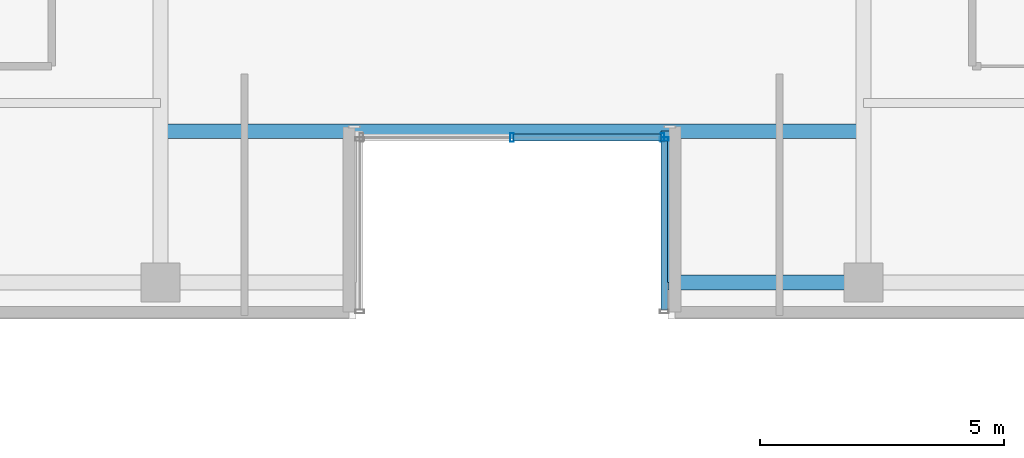
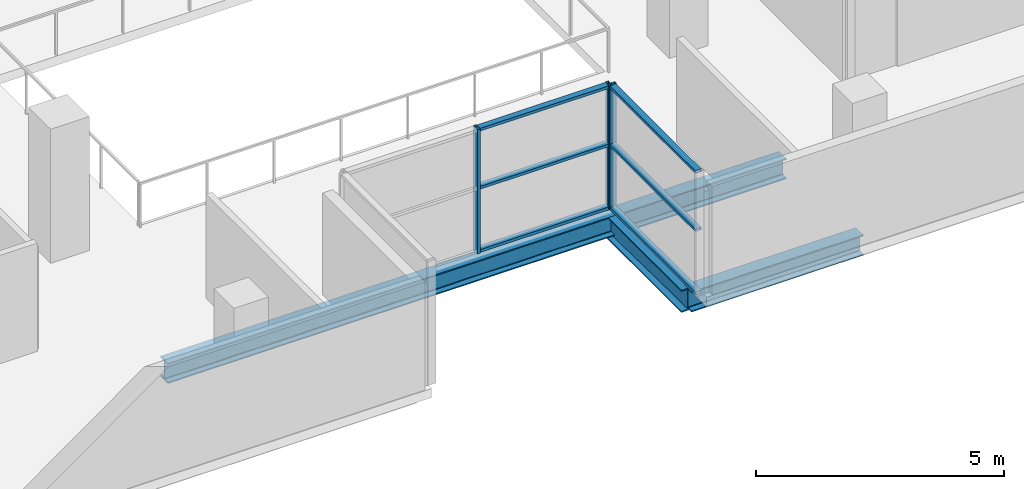
# One storey, part 7 of 27: 9 members, 3 beams, 2 elements without a shape of their own.
"""IFC4 building model written with IfcOpenShell, lengths in metres."""

import ifcopenshell
import ifcopenshell.guid

model = None  # the IFC model being written
_history = None  # IfcOwnerHistory: only IFC2X3 demands one
_inside = {}  # id of a spatial element -> (the spatial element, [elements in it])
_under = {}  # id of a project, library or spatial element -> (it, [spatial elements below it])
_declared = {}  # id of a project -> (the project, [libraries it declares])
_typed = {}  # id of a type object -> (the type object, [elements of that type])
_made_of = {}  # id of a material, layer set ... -> (it, [elements and type objects made of it])


def new_model(schema):
    """Start an empty IFC model of exactly this schema.

    Asked for "IFC4X3", IfcOpenShell would pick the latest addendum, in which some entities
    have other attributes; the version numbers below select the first issue.
    IFC2X3 requires an IfcOwnerHistory on every rooted entity: one is made here for all.
    """
    global model, _history
    if schema == "IFC4X3":
        model = ifcopenshell.file(schema_version=(4, 3, 0, 0))
    else:
        model = ifcopenshell.file(schema=schema)
    _inside.clear()
    _under.clear()
    _declared.clear()
    _typed.clear()
    _made_of.clear()
    _history = None
    if model.schema == "IFC2X3":
        org = make("IfcOrganization", Name="unknown")
        user = make(
            "IfcPersonAndOrganization",
            ThePerson=make("IfcPerson", FamilyName="unknown"),
            TheOrganization=org,
        )
        app = make(
            "IfcApplication",
            ApplicationDeveloper=org,
            Version="unknown",
            ApplicationFullName="unknown",
            ApplicationIdentifier="unknown",
        )
        _history = make(
            "IfcOwnerHistory",
            OwningUser=user,
            OwningApplication=app,
            ChangeAction="ADDED",
            CreationDate=0,
        )
    return model


def make(cls, **values):
    """One entity of the class cls with the attributes given. An attribute that is None is left unset."""
    return model.create_entity(
        cls, **{name: value for name, value in values.items() if value is not None}
    )


def rooted(cls, **values):
    """An entity with a GlobalId (a new one), such as an element, a storey or a relation."""
    return make(cls, GlobalId=ifcopenshell.guid.new(), OwnerHistory=_history, **values)


def si_unit(unit_type, name, prefix=None):
    """IfcSIUnit, for example si_unit("LENGTHUNIT", "METRE", prefix="MILLI")."""
    return make("IfcSIUnit", UnitType=unit_type, Prefix=prefix, Name=name)


def assignment(units):
    """IfcUnitAssignment: the units of a project."""
    return None if units is None else make("IfcUnitAssignment", Units=units)


def point(xyz):
    """IfcCartesianPoint."""
    return None if xyz is None else make("IfcCartesianPoint", Coordinates=xyz)


def direction(xyz):
    """IfcDirection."""
    return None if xyz is None else make("IfcDirection", DirectionRatios=xyz)


def frame(location, z_axis=None, x_axis=None):
    """IfcAxis2Placement3D, a coordinate frame: its origin and axes. An axis left out is left unset."""
    return make(
        "IfcAxis2Placement3D",
        Location=point(location),
        Axis=direction(z_axis),
        RefDirection=direction(x_axis),
    )


def frame_2d(location, x_axis=None):
    """IfcAxis2Placement2D, a coordinate frame in the plane: its origin and x axis."""
    return make(
        "IfcAxis2Placement2D", Location=point(location), RefDirection=direction(x_axis)
    )


def origin():
    """The frame at (0, 0, 0) with its axes left unset."""
    return frame((0.0, 0.0, 0.0))


def origin_2d():
    """The frame at (0, 0) in the plane with its x axis left unset."""
    return frame_2d((0.0, 0.0))


def place(relative_to, where):
    """IfcLocalPlacement: puts the frame where relative to a parent placement (None: the world)."""
    return make(
        "IfcLocalPlacement", PlacementRelTo=relative_to, RelativePlacement=where
    )


def context(
    kind, dimensions, precision=None, world=None, true_north=None, identifier=None
):
    """IfcGeometricRepresentationContext, for example the 3D "Model" context."""
    return make(
        "IfcGeometricRepresentationContext",
        ContextIdentifier=identifier,
        ContextType=kind,
        CoordinateSpaceDimension=dimensions,
        Precision=precision,
        WorldCoordinateSystem=world,
        TrueNorth=true_north,
    )


def subcontext(parent, identifier, kind, view, scale=None):
    """IfcGeometricRepresentationSubContext, for example "Body" below "Model"."""
    return make(
        "IfcGeometricRepresentationSubContext",
        ContextIdentifier=identifier,
        ContextType=kind,
        ParentContext=parent,
        TargetScale=scale,
        TargetView=view,
    )


def project(units=None, contexts=None):
    """IfcProject with its units and contexts."""
    return rooted(
        "IfcProject",
        Name="project",
        RepresentationContexts=contexts,
        UnitsInContext=assignment(units),
    )


def spatial(cls, under=None, at=None, **own):
    """A site, building, storey or space (cls), placed at a placement, below another one or the project."""
    s = rooted(cls, ObjectPlacement=at, **own)
    if under is not None:
        _under.setdefault(under.id(), (under, []))[1].append(s)
    return s


def profile(cls, at=None, kind="AREA", **sizes):
    """A parametric profile (cls). Its sizes go by their IFC names, for example OverallWidth=200.0."""
    return make(cls, ProfileType=kind, Position=at, **sizes)


def hollow_rectangle(**sizes):
    """IfcRectangleHollowProfileDef."""
    return profile("IfcRectangleHollowProfileDef", **sizes)


def i_section(**sizes):
    """IfcIShapeProfileDef."""
    return profile("IfcIShapeProfileDef", **sizes)


def extrude(swept, where, along, depth):
    """IfcExtrudedAreaSolid: the profile swept, set in the frame where, extruded along a direction by depth."""
    return make(
        "IfcExtrudedAreaSolid",
        SweptArea=swept,
        Position=where,
        ExtrudedDirection=direction(along),
        Depth=depth,
    )


def shape(context_of_items, identifier, shape_type, items):
    """IfcShapeRepresentation: the items that make up one representation, for example the "Body"."""
    return make(
        "IfcShapeRepresentation",
        ContextOfItems=context_of_items,
        RepresentationIdentifier=identifier,
        RepresentationType=shape_type,
        Items=items,
    )


def source(mapping_origin, context_of_items, identifier, shape_type, items):
    """IfcRepresentationMap: a shape defined once, which mapped items show again and again."""
    return make(
        "IfcRepresentationMap",
        MappingOrigin=mapping_origin,
        MappedRepresentation=shape(context_of_items, identifier, shape_type, items),
    )


def transform(
    local_origin,
    x_axis=None,
    y_axis=None,
    z_axis=None,
    scale=None,
    scale2=None,
    scale3=None,
    uniform=True,
):
    """IfcCartesianTransformationOperator3D, or its non-uniform kind. x_axis, y_axis, z_axis: its Axis1, 2, 3."""
    if uniform:
        return make(
            "IfcCartesianTransformationOperator3D",
            Axis1=direction(x_axis),
            Axis2=direction(y_axis),
            LocalOrigin=point(local_origin),
            Scale=scale,
            Axis3=direction(z_axis),
        )
    return make(
        "IfcCartesianTransformationOperator3DnonUniform",
        Axis1=direction(x_axis),
        Axis2=direction(y_axis),
        LocalOrigin=point(local_origin),
        Scale=scale,
        Axis3=direction(z_axis),
        Scale2=scale2,
        Scale3=scale3,
    )


def mapped(mapping_source, mapping_target):
    """IfcMappedItem: shows the shape of a source again, moved by a transform."""
    return make(
        "IfcMappedItem", MappingSource=mapping_source, MappingTarget=mapping_target
    )


def material(Name=None, Category=None):
    """IfcMaterial."""
    return make("IfcMaterial", Name=Name, Category=Category)


def layer(
    of_material, thickness, ventilated=None, Name=None, Category=None, Priority=None
):
    """IfcMaterialLayer: one layer of a wall or slab, of a material (None: an air gap)."""
    return make(
        "IfcMaterialLayer",
        Material=of_material,
        LayerThickness=thickness,
        IsVentilated=ventilated,
        Name=Name,
        Category=Category,
        Priority=Priority,
    )


def layer_set(layers, Name=None):
    """IfcMaterialLayerSet."""
    return make("IfcMaterialLayerSet", MaterialLayers=layers, LayerSetName=Name)


def material_profile(
    of_material, cross_section, Name=None, Category=None, Priority=None
):
    """IfcMaterialProfile: a cross section and its material."""
    return make(
        "IfcMaterialProfile",
        Name=Name,
        Material=of_material,
        Profile=cross_section,
        Priority=Priority,
        Category=Category,
    )


def profile_set(profiles, Name=None, composite=None):
    """IfcMaterialProfileSet."""
    return make(
        "IfcMaterialProfileSet",
        Name=Name,
        MaterialProfiles=profiles,
        CompositeProfile=composite,
    )


def made_of(thing, what):
    """Note that an element or type object is made of a material, layer set ...; save() writes the relation."""
    if what is not None:
        _made_of.setdefault(what.id(), (what, []))[1].append(thing)
    return thing


def type_object(cls, material=None, **own):
    """A type object (cls), such as IfcWallType, which elements share."""
    return made_of(rooted(cls, **own), material)


def element(
    cls,
    number,
    at=None,
    inside=None,
    cuts=None,
    type_object=None,
    material=None,
    context=None,
    identifier="Body",
    shape_type=None,
    held_by="IfcProductDefinitionShape",
    body=None,
    shapes=None,
    **own,
):
    """One element of the class cls, such as IfcWall. Its Tag is "e" and its number.

    at: its placement. inside: the storey or other place that contains it. cuts: it is an
    opening in that element (IfcRelVoidsElement). A single representation is given by context,
    identifier, shape_type and body (its items); several are given by shapes. held_by: the class
    of the entity that holds the representations. save() writes the other relations.
    """
    e = rooted(cls, Tag="e%d" % number, ObjectPlacement=at, **own)
    if body is not None:
        shapes = [shape(context, identifier, shape_type, body)]
    if shapes is not None:
        e.Representation = make(held_by, Representations=shapes)
    if inside is not None:
        _inside.setdefault(inside.id(), (inside, []))[1].append(e)
    if cuts is not None:
        rooted(
            "IfcRelVoidsElement", RelatingBuildingElement=cuts, RelatedOpeningElement=e
        )
    if type_object is not None:
        _typed.setdefault(type_object.id(), (type_object, []))[1].append(e)
    return made_of(e, material)


def aggregate(whole, parts):
    """IfcRelAggregates: a whole, such as a stair, and the parts it consists of."""
    return rooted("IfcRelAggregates", RelatingObject=whole, RelatedObjects=parts)


def save(model, path):
    """Write the relations noted so far, then the file.

    IfcRelAggregates (storeys below a building ...), IfcRelContainedInSpatialStructure (elements
    in a storey), IfcRelDefinesByType, IfcRelAssociatesMaterial and IfcRelDeclares: one each for
    every whole, place, type object, material and project.
    """
    for whole, parts in _under.values():
        aggregate(whole, parts)
    for where, things in _inside.values():
        rooted(
            "IfcRelContainedInSpatialStructure",
            RelatedElements=things,
            RelatingStructure=where,
        )
    for kind, things in _typed.values():
        rooted("IfcRelDefinesByType", RelatedObjects=things, RelatingType=kind)
    for what, things in _made_of.values():
        rooted("IfcRelAssociatesMaterial", RelatedObjects=things, RelatingMaterial=what)
    for by, libraries in _declared.values():
        rooted("IfcRelDeclares", RelatingContext=by, RelatedDefinitions=libraries)
    model.write(path)


model = new_model("IFC4")

# Units and contexts
model_context = context("Model", 3, precision=1e-05, world=origin(), true_north=direction((0.0, 1.0)))
body_context = subcontext(model_context, "Body", "Model", "MODEL_VIEW")
ifc_project = project(units=[si_unit("LENGTHUNIT", "METRE"), si_unit("AREAUNIT", "SQUARE_METRE"), si_unit("VOLUMEUNIT", "CUBIC_METRE"), si_unit("PLANEANGLEUNIT", "RADIAN"), si_unit("MASSUNIT", "GRAM", prefix="KILO")], contexts=[model_context])

# Site, building, storey
site_placement = place(None, origin())
site = spatial("IfcSite", under=ifc_project, at=site_placement, CompositionType="ELEMENT")
building_placement = place(site_placement, origin())
building = spatial("IfcBuilding", under=site, at=building_placement, Name="Zarnakvel Exchange Tower", CompositionType="ELEMENT")
storey_placement = place(building_placement, frame((0.0, 0.0, 113.199951171875)))
storey = spatial("IfcBuildingStorey", under=building, at=storey_placement, Name="L31", CompositionType="ELEMENT", Elevation=113.199951171875)

# Beams
ifc_material_1 = material(Name="Steel S355", Category="steel")
ifc_material_profile_1 = material_profile(ifc_material_1, i_section(OverallWidth=0.300048828125, OverallDepth=0.550048828125, WebThickness=0.014892578125, FlangeThickness=0.029052734375, FilletRadius=0.027099609375, at=origin_2d()))
ifc_profile_set_1 = profile_set([ifc_material_profile_1], Name="Steel S355")
beam_type_1 = type_object("IfcBeamType", Name="G-05", PredefinedType="BEAM", material=ifc_profile_set_1)
beam_1_placement = place(storey_placement, frame((3.199951171875, -16.949951171875, -0.5), z_axis=(0.0, 1.0, 0.0), x_axis=(-1.0, 0.0, 0.0)))
element("IfcBeam", 1, at=beam_1_placement, inside=storey, type_object=beam_type_1, Name="L31 South Slot East Cheek Beam", PredefinedType="BEAM", context=body_context, shape_type="SweptSolid", body=[
    extrude(i_section(OverallWidth=0.300048828125, OverallDepth=0.550048828125, WebThickness=0.014892578125, FlangeThickness=0.029052734375, FilletRadius=0.027099609375, at=origin_2d()), origin(), (0.0, 0.0, 1.0), 3.099853515625),
])
ifc_material_profile_2 = material_profile(ifc_material_1, i_section(OverallWidth=0.300048828125, OverallDepth=0.5, WebThickness=0.014404296875, FlangeThickness=0.028076171875, FilletRadius=0.027099609375, at=origin_2d()))
ifc_profile_set_2 = profile_set([ifc_material_profile_2], Name="Steel S355")
beam_type_2 = type_object("IfcBeamType", Name="SP-02", PredefinedType="SPANDREL", material=ifc_profile_set_2)
beam_2_placement = place(storey_placement, frame((3.199951171875, -16.949951171875, -0.474853515625), z_axis=(1.0, 0.0, 0.0), x_axis=(0.0, 1.0, 0.0)))
element("IfcBeam", 2, at=beam_2_placement, inside=storey, type_object=beam_type_2, Name="L31 South Slot East Jamb Spandrel", PredefinedType="SPANDREL", context=body_context, shape_type="SweptSolid", body=[
    extrude(i_section(OverallWidth=0.300048828125, OverallDepth=0.5, WebThickness=0.014404296875, FlangeThickness=0.028076171875, FilletRadius=0.027099609375, at=origin_2d()), origin(), (0.0, 0.0, 1.0), 4.0),
])
beam_3_placement = place(storey_placement, frame((-7.199951171875, -13.85009765625, -0.474853515625), z_axis=(1.0, 0.0, 0.0), x_axis=(0.0, 1.0, 0.0)))
element("IfcBeam", 3, at=beam_3_placement, inside=storey, type_object=beam_type_2, Name="L31 South Slot Head Trimmer Girder", PredefinedType="SPANDREL", context=body_context, shape_type="SweptSolid", body=[
    extrude(i_section(OverallWidth=0.300048828125, OverallDepth=0.5, WebThickness=0.014404296875, FlangeThickness=0.028076171875, FilletRadius=0.027099609375, at=origin_2d()), origin(), (0.0, 0.0, 1.0), 14.39990234375),
])

# Curtain wall, members
ifc_material_2 = material(Name="Architectural Bronze Anodised Aluminium", Category="aluminium")
ifc_layer = layer(ifc_material_2, 0.179931640625)
ifc_layer_set = layer_set([ifc_layer], Name="Architectural Bronze Anodised Aluminium")
curtain_wall_type = type_object("IfcCurtainWallType", Name="CW-05", PredefinedType="NOTDEFINED", material=ifc_layer_set)
curtain_wall_1_placement = place(storey_placement, origin())
curtain_wall_1 = element("IfcCurtainWall", 4, at=curtain_wall_1_placement, inside=storey, type_object=curtain_wall_type, Name="L31 Curtain Wall CW-L31-SLE (CW-05)", PredefinedType="NOTDEFINED")
ifc_material_profile_3 = material_profile(ifc_material_2, hollow_rectangle(XDim=0.139892578125, YDim=0.070068359375, WallThickness=0.00390625, at=origin_2d()))
ifc_profile_set_3 = profile_set([ifc_material_profile_3], Name="Architectural Bronze Anodised Aluminium")
member_type_1 = type_object("IfcMemberType", Name="CWT-05", PredefinedType="USERDEFINED", material=ifc_profile_set_3)
shared_shape_1 = source(origin(), body_context, "Body", "SweptSolid", [
    extrude(hollow_rectangle(XDim=0.139892578125, YDim=0.070068359375, WallThickness=0.00390625, at=origin_2d()), origin(), (0.0, 0.0, 1.0), 3.4599609375),
])
member_1_placement = place(storey_placement, frame((3.1201171875, -14.050048828125, 0.03515625), z_axis=(0.0, -1.0, 0.0), x_axis=(1.0, 0.0, 0.0)))
member_1 = element("IfcMember", 5, at=member_1_placement, type_object=member_type_1, Name="CW-05 transom 1.1", ObjectType="TRANSOM", PredefinedType="USERDEFINED", context=body_context, shape_type="MappedRepresentation", body=[
    mapped(shared_shape_1, transform((0.0, 0.0, 0.0), x_axis=(1.0, 0.0, 0.0), y_axis=(0.0, 1.0, 0.0), z_axis=(0.0, 0.0, 1.0), scale=1.0)),
])
member_2_placement = place(storey_placement, frame((3.1201171875, -14.050048828125, 1.588623046875), z_axis=(0.0, -1.0, 0.0), x_axis=(1.0, 0.0, 0.0)))
member_2 = element("IfcMember", 6, at=member_2_placement, type_object=member_type_1, Name="CW-05 transom 1.2", ObjectType="TRANSOM", PredefinedType="USERDEFINED", context=body_context, shape_type="MappedRepresentation", body=[
    mapped(shared_shape_1, transform((0.0, 0.0, 0.0), x_axis=(1.0, 0.0, 0.0), y_axis=(0.0, 1.0, 0.0), z_axis=(0.0, 0.0, 1.0), scale=1.0)),
])
member_3_placement = place(storey_placement, frame((3.1201171875, -14.050048828125, 3.02001953125), z_axis=(0.0, -1.0, 0.0), x_axis=(1.0, 0.0, 0.0)))
member_3 = element("IfcMember", 7, at=member_3_placement, type_object=member_type_1, Name="CW-05 transom 1.3", ObjectType="TRANSOM", PredefinedType="USERDEFINED", context=body_context, shape_type="MappedRepresentation", body=[
    mapped(shared_shape_1, transform((0.0, 0.0, 0.0), x_axis=(1.0, 0.0, 0.0), y_axis=(0.0, 1.0, 0.0), z_axis=(0.0, 0.0, 1.0), scale=1.0)),
])

curtain_wall_2_placement = place(storey_placement, origin())
curtain_wall_2 = element("IfcCurtainWall", 8, at=curtain_wall_2_placement, inside=storey, type_object=curtain_wall_type, Name="L31 Curtain Wall CW-L31-SLB (CW-05)", PredefinedType="NOTDEFINED")
shared_shape_2 = source(origin(), body_context, "Body", "SweptSolid", [
    extrude(hollow_rectangle(XDim=0.139892578125, YDim=0.070068359375, WallThickness=0.00390625, at=origin_2d()), origin(), (0.0, 0.0, 1.0), 3.01513671875),
])
member_4_placement = place(storey_placement, frame((0.034912109375, -13.97998046875, 0.03515625), z_axis=(1.0, 0.0, 0.0), x_axis=(0.0, 1.0, 0.0)))
member_4 = element("IfcMember", 9, at=member_4_placement, type_object=member_type_1, Name="CW-05 transom 2.1", ObjectType="TRANSOM", PredefinedType="USERDEFINED", context=body_context, shape_type="MappedRepresentation", body=[
    mapped(shared_shape_2, transform((0.0, 0.0, 0.0), x_axis=(1.0, 0.0, 0.0), y_axis=(0.0, 1.0, 0.0), z_axis=(0.0, 0.0, 1.0), scale=1.0)),
])
member_5_placement = place(storey_placement, frame((0.034912109375, -13.97998046875, 1.588623046875), z_axis=(1.0, 0.0, 0.0), x_axis=(0.0, 1.0, 0.0)))
member_5 = element("IfcMember", 10, at=member_5_placement, type_object=member_type_1, Name="CW-05 transom 2.2", ObjectType="TRANSOM", PredefinedType="USERDEFINED", context=body_context, shape_type="MappedRepresentation", body=[
    mapped(shared_shape_2, transform((0.0, 0.0, 0.0), x_axis=(1.0, 0.0, 0.0), y_axis=(0.0, 1.0, 0.0), z_axis=(0.0, 0.0, 1.0), scale=1.0)),
])
member_6_placement = place(storey_placement, frame((0.034912109375, -13.97998046875, 3.02001953125), z_axis=(1.0, 0.0, 0.0), x_axis=(0.0, 1.0, 0.0)))
member_6 = element("IfcMember", 11, at=member_6_placement, type_object=member_type_1, Name="CW-05 transom 2.3", ObjectType="TRANSOM", PredefinedType="USERDEFINED", context=body_context, shape_type="MappedRepresentation", body=[
    mapped(shared_shape_2, transform((0.0, 0.0, 0.0), x_axis=(1.0, 0.0, 0.0), y_axis=(0.0, 1.0, 0.0), z_axis=(0.0, 0.0, 1.0), scale=1.0)),
])
ifc_material_profile_4 = material_profile(ifc_material_2, hollow_rectangle(XDim=0.179931640625, YDim=0.070068359375, WallThickness=0.00390625, at=origin_2d()))
ifc_profile_set_4 = profile_set([ifc_material_profile_4], Name="Architectural Bronze Anodised Aluminium")
member_type_2 = type_object("IfcMemberType", Name="CWM-05", PredefinedType="MULLION", material=ifc_profile_set_4)
shared_shape_3 = source(origin(), body_context, "Body", "SweptSolid", [
    extrude(hollow_rectangle(XDim=0.179931640625, YDim=0.070068359375, WallThickness=0.00390625, at=origin_2d()), origin(), (0.0, 0.0, 1.0), 3.054931640625),
])
member_7_placement = place(storey_placement, frame((0.0, -13.97998046875, 0.0), z_axis=(0.0, 0.0, 1.0), x_axis=(0.0, 1.0, 0.0)))
member_7 = element("IfcMember", 12, at=member_7_placement, type_object=member_type_2, Name="CW-05 mullion 2", PredefinedType="MULLION", context=body_context, shape_type="MappedRepresentation", body=[
    mapped(shared_shape_3, transform((0.0, 0.0, 0.0), x_axis=(1.0, 0.0, 0.0), y_axis=(0.0, 1.0, 0.0), z_axis=(0.0, 0.0, 1.0), scale=1.0)),
])
member_8_placement = place(storey_placement, frame((3.0849609375, -13.97998046875, 0.0), z_axis=(0.0, 0.0, 1.0), x_axis=(0.0, 1.0, 0.0)))
member_8 = element("IfcMember", 13, at=member_8_placement, type_object=member_type_2, Name="CW-05 mullion 3", PredefinedType="MULLION", context=body_context, shape_type="MappedRepresentation", body=[
    mapped(shared_shape_3, transform((0.0, 0.0, 0.0), x_axis=(1.0, 0.0, 0.0), y_axis=(0.0, 1.0, 0.0), z_axis=(0.0, 0.0, 1.0), scale=1.0)),
])
aggregate(curtain_wall_2, [member_7, member_8, member_4, member_5, member_6])

# Member
member_9_placement = place(storey_placement, frame((3.1201171875, -14.014892578125, 0.0), z_axis=(0.0, 0.0, 1.0), x_axis=(1.0, 0.0, 0.0)))
member_9 = element("IfcMember", 14, at=member_9_placement, type_object=member_type_2, Name="CW-05 mullion 1", PredefinedType="MULLION", context=body_context, shape_type="MappedRepresentation", body=[
    mapped(shared_shape_3, transform((0.0, 0.0, 0.0), x_axis=(1.0, 0.0, 0.0), y_axis=(0.0, 1.0, 0.0), z_axis=(0.0, 0.0, 1.0), scale=1.0)),
])

aggregate(curtain_wall_1, [member_9, member_1, member_2, member_3])

save(model, "model.ifc")
